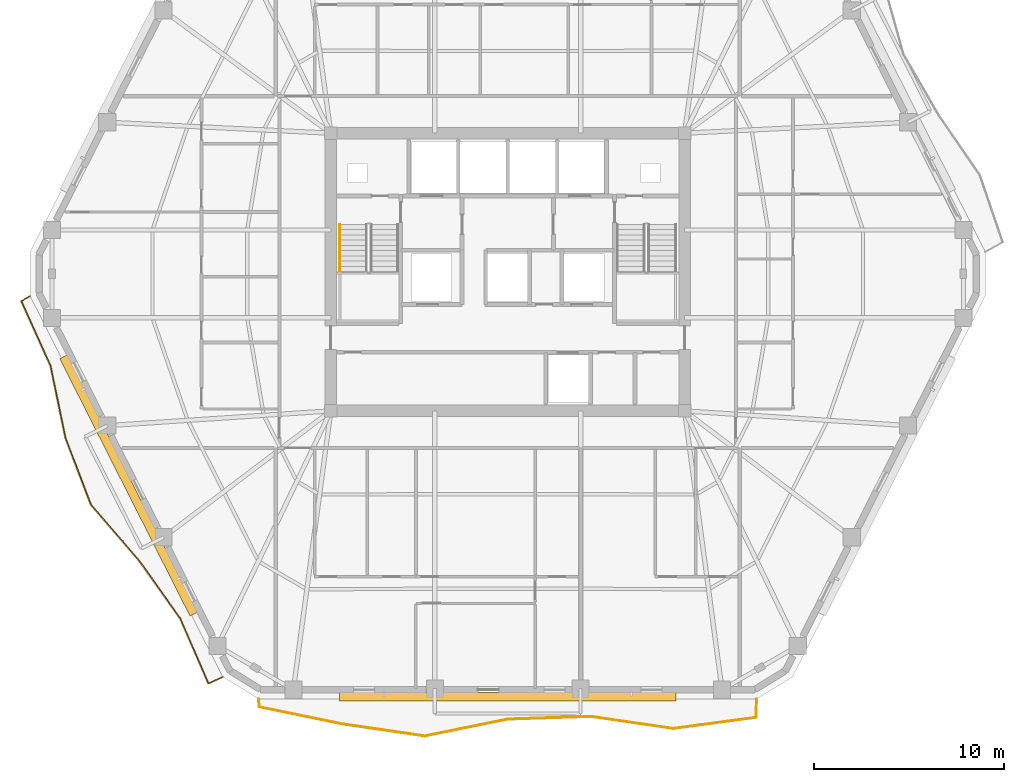
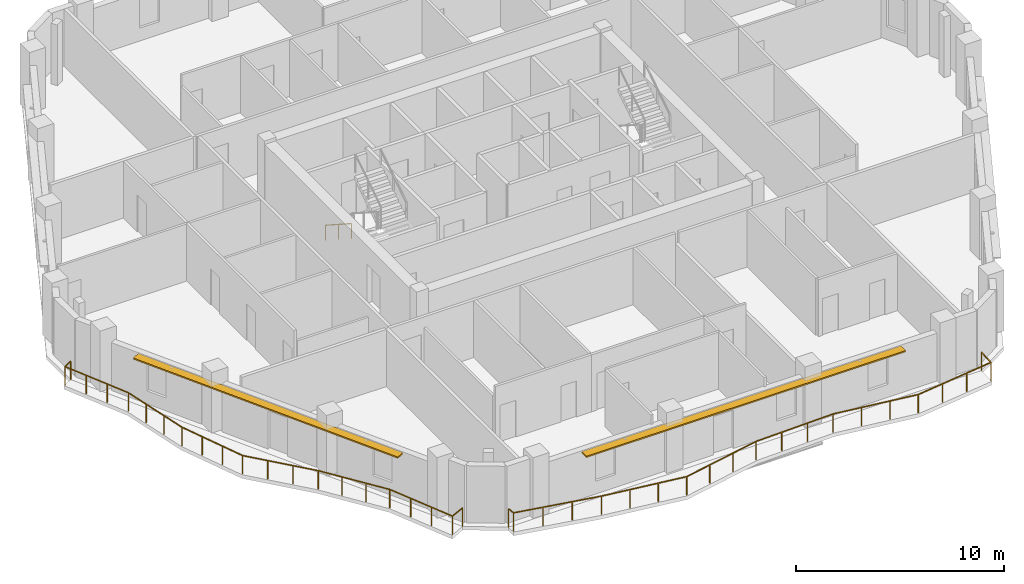
# One storey, part 10 of 12: 3 railings, 2 shading devices.
"""IFC4 building model written with IfcOpenShell, lengths in metres."""

from ifc_helpers import new_model, si_unit, direction, frame, origin, origin_2d, place, context, subcontext, project, spatial, rectangle, extrude, material, layer, layer_set, type_object, element, save


model = new_model("IFC4")

# Units and contexts
model_context = context("Model", 3, precision=1e-05, world=origin(), true_north=direction((0.0, 1.0)))
body_context = subcontext(model_context, "Body", "Model", "MODEL_VIEW")
ifc_project = project(units=[si_unit("LENGTHUNIT", "METRE"), si_unit("AREAUNIT", "SQUARE_METRE"), si_unit("VOLUMEUNIT", "CUBIC_METRE"), si_unit("PLANEANGLEUNIT", "RADIAN"), si_unit("MASSUNIT", "GRAM", prefix="KILO")], contexts=[model_context])

# Site, building, storey
site_placement = place(None, origin())
site = spatial("IfcSite", under=ifc_project, at=site_placement, CompositionType="ELEMENT")
building_placement = place(site_placement, origin())
building = spatial("IfcBuilding", under=site, at=building_placement, Name="Cinnabar Lancet Tower", CompositionType="ELEMENT")
storey_placement = place(building_placement, frame((0.0, 0.0, 157.050048828125)))
storey = spatial("IfcBuildingStorey", under=building, at=storey_placement, Name="L41", CompositionType="ELEMENT", Elevation=157.050048828125)

# Railings
ifc_material_1 = material(Name="Laminated safety glass and bronze stainless steel balustrade", Category="steel")
railing_type_1 = type_object("IfcRailingType", Name="ENV-RLG-BAL-1100", PredefinedType="BALUSTRADE", material=ifc_material_1)
railing_1_placement = place(storey_placement, frame((19.30810546875, 3.449951171875, 0.0)))
element("IfcRailing", 1, at=railing_1_placement, inside=storey, type_object=railing_type_1, Name="L41 Face 1 Wave Balcony Balustrade", PredefinedType="BALUSTRADE", context=body_context, shape_type="SweptSolid", body=[
    extrude(rectangle(XDim=0.048095703125, YDim=0.048095703125, at=origin_2d()), frame((0.0, 0.0, 1.076171875), z_axis=(0.083821618191, -0.996480775692, 0.0), x_axis=(0.996480775692, 0.083821618191, 0.0)), (0.0, 0.0, 1.0), 0.41650390625),
    extrude(rectangle(XDim=0.048095703125, YDim=0.048095703125, at=origin_2d()), frame((0.034912109375, -0.4150390625, 1.076171875), z_axis=(0.979466615648, -0.201606420607, 0.0), x_axis=(0.201606420607, 0.979466615648, 0.0)), (0.0, 0.0, 1.0), 4.4443359375),
    extrude(rectangle(XDim=0.048095703125, YDim=0.048095703125, at=origin_2d()), frame((4.387939453125, -1.31103515625, 1.076171875), z_axis=(0.989522079116, -0.144381629518, 0.0), x_axis=(0.144381629518, 0.989522079116, 0.0)), (0.0, 0.0, 1.0), 4.398193359375),
    extrude(rectangle(XDim=0.048095703125, YDim=0.048095703125, at=origin_2d()), frame((8.739990234375, -1.946044921875, 1.076171875), z_axis=(0.979801421295, 0.199972935241, 0.0), x_axis=(-0.199972935241, 0.979801421295, 0.0)), (0.0, 0.0, 1.0), 4.44140625),
    extrude(rectangle(XDim=0.048095703125, YDim=0.048095703125, at=origin_2d()), frame((13.091796875, -1.057861328125, 1.076171875), z_axis=(0.999476318177, 0.032358760834, 0.0), x_axis=(-0.032358760834, 0.999476318177, 0.0)), (0.0, 0.0, 1.0), 4.353271484375),
    extrude(rectangle(XDim=0.048095703125, YDim=0.048095703125, at=origin_2d()), frame((17.44287109375, -0.9169921875, 1.076171875), z_axis=(0.989494974567, -0.144567269139, 0.0), x_axis=(0.144567269139, 0.989494974567, 0.0)), (0.0, 0.0, 1.0), 4.399169921875),
    extrude(rectangle(XDim=0.048095703125, YDim=0.048095703125, at=origin_2d()), frame((21.7958984375, -1.552978515625, 1.076171875), z_axis=(0.991095389091, 0.133153782228, 0.0), x_axis=(-0.133153782228, 0.991095389091, 0.0)), (0.0, 0.0, 1.0), 4.39306640625),
    extrude(rectangle(XDim=0.048095703125, YDim=0.048095703125, at=origin_2d()), frame((26.14990234375, -0.968017578125, 1.076171875), z_axis=(0.035035224427, 0.999386078075, 0.0), x_axis=(-0.999386078075, 0.035035224427, 0.0)), (0.0, 0.0, 1.0), 0.968505859375),
    extrude(rectangle(XDim=0.0419921875, YDim=0.0419921875, at=origin_2d()), origin(), (0.0, 0.0, 1.0), 1.052001953125),
    extrude(rectangle(XDim=0.0419921875, YDim=0.0419921875, at=origin_2d()), frame((0.034912109375, -0.4150390625, 0.0)), (0.0, 0.0, 1.0), 1.052001953125),
    extrude(rectangle(XDim=0.0419921875, YDim=0.0419921875, at=origin_2d()), frame((1.48583984375, -0.713623046875, 0.0)), (0.0, 0.0, 1.0), 1.052001953125),
    extrude(rectangle(XDim=0.0419921875, YDim=0.0419921875, at=origin_2d()), frame((2.93701171875, -1.012451171875, 0.0)), (0.0, 0.0, 1.0), 1.052001953125),
    extrude(rectangle(XDim=0.0419921875, YDim=0.0419921875, at=origin_2d()), frame((4.387939453125, -1.31103515625, 0.0)), (0.0, 0.0, 1.0), 1.052001953125),
    extrude(rectangle(XDim=0.0419921875, YDim=0.0419921875, at=origin_2d()), frame((5.838623046875, -1.522705078125, 0.0)), (0.0, 0.0, 1.0), 1.052001953125),
    extrude(rectangle(XDim=0.0419921875, YDim=0.0419921875, at=origin_2d()), frame((7.289306640625, -1.734375, 0.0)), (0.0, 0.0, 1.0), 1.052001953125),
    extrude(rectangle(XDim=0.0419921875, YDim=0.0419921875, at=origin_2d()), frame((8.739990234375, -1.946044921875, 0.0)), (0.0, 0.0, 1.0), 1.052001953125),
    extrude(rectangle(XDim=0.0419921875, YDim=0.0419921875, at=origin_2d()), frame((10.190673828125, -1.64990234375, 0.0)), (0.0, 0.0, 1.0), 1.052001953125),
    extrude(rectangle(XDim=0.0419921875, YDim=0.0419921875, at=origin_2d()), frame((11.64111328125, -1.35400390625, 0.0)), (0.0, 0.0, 1.0), 1.052001953125),
    extrude(rectangle(XDim=0.0419921875, YDim=0.0419921875, at=origin_2d()), frame((13.091796875, -1.057861328125, 0.0)), (0.0, 0.0, 1.0), 1.052001953125),
    extrude(rectangle(XDim=0.0419921875, YDim=0.0419921875, at=origin_2d()), frame((14.542236328125, -1.010986328125, 0.0)), (0.0, 0.0, 1.0), 1.052001953125),
    extrude(rectangle(XDim=0.0419921875, YDim=0.0419921875, at=origin_2d()), frame((15.992431640625, -0.9638671875, 0.0)), (0.0, 0.0, 1.0), 1.052001953125),
    extrude(rectangle(XDim=0.0419921875, YDim=0.0419921875, at=origin_2d()), frame((17.44287109375, -0.9169921875, 0.0)), (0.0, 0.0, 1.0), 1.052001953125),
    extrude(rectangle(XDim=0.0419921875, YDim=0.0419921875, at=origin_2d()), frame((18.893798828125, -1.12890625, 0.0)), (0.0, 0.0, 1.0), 1.052001953125),
    extrude(rectangle(XDim=0.0419921875, YDim=0.0419921875, at=origin_2d()), frame((20.344970703125, -1.341064453125, 0.0)), (0.0, 0.0, 1.0), 1.052001953125),
    extrude(rectangle(XDim=0.0419921875, YDim=0.0419921875, at=origin_2d()), frame((21.7958984375, -1.552978515625, 0.0)), (0.0, 0.0, 1.0), 1.052001953125),
    extrude(rectangle(XDim=0.0419921875, YDim=0.0419921875, at=origin_2d()), frame((23.247314453125, -1.35791015625, 0.0)), (0.0, 0.0, 1.0), 1.052001953125),
    extrude(rectangle(XDim=0.0419921875, YDim=0.0419921875, at=origin_2d()), frame((24.698486328125, -1.1630859375, 0.0)), (0.0, 0.0, 1.0), 1.052001953125),
    extrude(rectangle(XDim=0.0419921875, YDim=0.0419921875, at=origin_2d()), frame((26.14990234375, -0.968017578125, 0.0)), (0.0, 0.0, 1.0), 1.052001953125),
    extrude(rectangle(XDim=0.0419921875, YDim=0.0419921875, at=origin_2d()), frame((26.183837890625, 0.0, 0.0)), (0.0, 0.0, 1.0), 1.052001953125),
])
railing_2_placement = place(storey_placement, frame((7.287109375, 24.639892578125, 0.0)))
element("IfcRailing", 2, at=railing_2_placement, inside=storey, type_object=railing_type_1, Name="L41 Face 6 Wave Balcony Balustrade", PredefinedType="BALUSTRADE", context=body_context, shape_type="SweptSolid", body=[
    extrude(rectangle(XDim=0.048095703125, YDim=0.048095703125, at=origin_2d()), frame((0.0, 0.0, 1.076171875), z_axis=(-0.867020810564, -0.498271927815, 0.0), x_axis=(0.498271927815, -0.867020810564, 0.0)), (0.0, 0.0, 1.0), 0.529541015625),
    extrude(rectangle(XDim=0.048095703125, YDim=0.048095703125, at=origin_2d()), frame((-0.459228515625, -0.263916015625, 1.076171875), z_axis=(0.411541186396, -0.911391162948, 0.0), x_axis=(0.911391162948, 0.411541186396, 0.0)), (0.0, 0.0, 1.0), 3.735107421875),
    extrude(rectangle(XDim=0.048095703125, YDim=0.048095703125, at=origin_2d()), frame((1.077880859375, -3.66796875, 1.076171875), z_axis=(0.202816550955, -0.979216751623, 0.0), x_axis=(0.979216751623, 0.202816550955, 0.0)), (0.0, 0.0, 1.0), 3.865234375),
    extrude(rectangle(XDim=0.048095703125, YDim=0.048095703125, at=origin_2d()), frame((1.86181640625, -7.452880859375, 1.076171875), z_axis=(0.35560558059, -0.934636116921, 0.0), x_axis=(0.934636116921, 0.35560558059, 0.0)), (0.0, 0.0, 1.0), 3.751220703125),
    extrude(rectangle(XDim=0.048095703125, YDim=0.048095703125, at=origin_2d()), frame((3.19580078125, -10.958984375, 1.076171875), z_axis=(0.653158268452, -0.757221418313, 0.0), x_axis=(0.757221418313, 0.653158268452, 0.0)), (0.0, 0.0, 1.0), 3.8427734375),
    extrude(rectangle(XDim=0.048095703125, YDim=0.048095703125, at=origin_2d()), frame((5.705810546875, -13.868896484375, 1.076171875), z_axis=(0.579590628564, -0.814907788207, 0.0), x_axis=(0.814907788207, 0.579590628564, 0.0)), (0.0, 0.0, 1.0), 3.7734375),
    extrude(rectangle(XDim=0.048095703125, YDim=0.048095703125, at=origin_2d()), frame((7.892822265625, -16.94384765625, 1.076171875), z_axis=(0.397123705352, -0.917765091212, 0.0), x_axis=(0.917765091212, 0.397123705352, 0.0)), (0.0, 0.0, 1.0), 3.73974609375),
    extrude(rectangle(XDim=0.048095703125, YDim=0.048095703125, at=origin_2d()), frame((9.3779296875, -20.3759765625, 1.076171875), z_axis=(0.909176019536, 0.416412014116, 0.0), x_axis=(-0.416412014116, 0.909176019536, 0.0)), (0.0, 0.0, 1.0), 0.831298828125),
    extrude(rectangle(XDim=0.0419921875, YDim=0.0419921875, at=origin_2d()), origin(), (0.0, 0.0, 1.0), 1.052001953125),
    extrude(rectangle(XDim=0.0419921875, YDim=0.0419921875, at=origin_2d()), frame((-0.459228515625, -0.263916015625, 0.0)), (0.0, 0.0, 1.0), 1.052001953125),
    extrude(rectangle(XDim=0.0419921875, YDim=0.0419921875, at=origin_2d()), frame((0.05322265625, -1.398681640625, 0.0)), (0.0, 0.0, 1.0), 1.052001953125),
    extrude(rectangle(XDim=0.0419921875, YDim=0.0419921875, at=origin_2d()), frame((0.5654296875, -2.533203125, 0.0)), (0.0, 0.0, 1.0), 1.052001953125),
    extrude(rectangle(XDim=0.0419921875, YDim=0.0419921875, at=origin_2d()), frame((1.077880859375, -3.66796875, 0.0)), (0.0, 0.0, 1.0), 1.052001953125),
    extrude(rectangle(XDim=0.0419921875, YDim=0.0419921875, at=origin_2d()), frame((1.339111328125, -4.9296875, 0.0)), (0.0, 0.0, 1.0), 1.052001953125),
    extrude(rectangle(XDim=0.0419921875, YDim=0.0419921875, at=origin_2d()), frame((1.6005859375, -6.191162109375, 0.0)), (0.0, 0.0, 1.0), 1.052001953125),
    extrude(rectangle(XDim=0.0419921875, YDim=0.0419921875, at=origin_2d()), frame((1.86181640625, -7.452880859375, 0.0)), (0.0, 0.0, 1.0), 1.052001953125),
    extrude(rectangle(XDim=0.0419921875, YDim=0.0419921875, at=origin_2d()), frame((2.306396484375, -8.62158203125, 0.0)), (0.0, 0.0, 1.0), 1.052001953125),
    extrude(rectangle(XDim=0.0419921875, YDim=0.0419921875, at=origin_2d()), frame((2.751220703125, -9.790283203125, 0.0)), (0.0, 0.0, 1.0), 1.052001953125),
    extrude(rectangle(XDim=0.0419921875, YDim=0.0419921875, at=origin_2d()), frame((3.19580078125, -10.958984375, 0.0)), (0.0, 0.0, 1.0), 1.052001953125),
    extrude(rectangle(XDim=0.0419921875, YDim=0.0419921875, at=origin_2d()), frame((4.032470703125, -11.928955078125, 0.0)), (0.0, 0.0, 1.0), 1.052001953125),
    extrude(rectangle(XDim=0.0419921875, YDim=0.0419921875, at=origin_2d()), frame((4.869140625, -12.89892578125, 0.0)), (0.0, 0.0, 1.0), 1.052001953125),
    extrude(rectangle(XDim=0.0419921875, YDim=0.0419921875, at=origin_2d()), frame((5.705810546875, -13.868896484375, 0.0)), (0.0, 0.0, 1.0), 1.052001953125),
    extrude(rectangle(XDim=0.0419921875, YDim=0.0419921875, at=origin_2d()), frame((6.434814453125, -14.893798828125, 0.0)), (0.0, 0.0, 1.0), 1.052001953125),
    extrude(rectangle(XDim=0.0419921875, YDim=0.0419921875, at=origin_2d()), frame((7.163818359375, -15.9189453125, 0.0)), (0.0, 0.0, 1.0), 1.052001953125),
    extrude(rectangle(XDim=0.0419921875, YDim=0.0419921875, at=origin_2d()), frame((7.892822265625, -16.94384765625, 0.0)), (0.0, 0.0, 1.0), 1.052001953125),
    extrude(rectangle(XDim=0.0419921875, YDim=0.0419921875, at=origin_2d()), frame((8.387939453125, -18.087890625, 0.0)), (0.0, 0.0, 1.0), 1.052001953125),
    extrude(rectangle(XDim=0.0419921875, YDim=0.0419921875, at=origin_2d()), frame((8.8828125, -19.23193359375, 0.0)), (0.0, 0.0, 1.0), 1.052001953125),
    extrude(rectangle(XDim=0.0419921875, YDim=0.0419921875, at=origin_2d()), frame((9.3779296875, -20.3759765625, 0.0)), (0.0, 0.0, 1.0), 1.052001953125),
    extrude(rectangle(XDim=0.0419921875, YDim=0.0419921875, at=origin_2d()), frame((10.1337890625, -20.02978515625, 0.0)), (0.0, 0.0, 1.0), 1.052001953125),
])

# Shading devices
ifc_material_2 = material(Name="Pale limestone architectural aluminium sunshade", Category="masonry")
ifc_layer = layer(ifc_material_2, 0.080078125)
ifc_layer_set = layer_set([ifc_layer], Name="Pale limestone architectural aluminium sunshade")
shading_device_type = type_object("IfcShadingDeviceType", Name="ENV-SHD-LVR-450", PredefinedType="JALOUSIE", material=ifc_layer_set)
shading_device_1_placement = place(storey_placement, frame((32.39990234375, 3.580078125, 2.639892578125), z_axis=(0.0, 0.0, 1.0), x_axis=(1.0, 0.0, 0.0)))
element("IfcShadingDevice", 3, at=shading_device_1_placement, inside=storey, type_object=shading_device_type, Name="L41 Face 1 Horizontal Sunshade Canopy", PredefinedType="JALOUSIE", context=body_context, shape_type="SweptSolid", body=[
    extrude(rectangle(XDim=17.68310546875, YDim=0.449951171875, at=origin_2d()), origin(), (0.0, 0.0, 1.0), 0.080078125),
])
shading_device_2_placement = place(storey_placement, frame((12.471923828125, 14.680908203125, 2.639892578125), z_axis=(0.0, 0.0, 1.0), x_axis=(0.451453853408, -0.892294468347, 0.0)))
element("IfcShadingDevice", 4, at=shading_device_2_placement, inside=storey, type_object=shading_device_type, Name="L41 Face 6 Horizontal Sunshade Canopy", PredefinedType="JALOUSIE", context=body_context, shape_type="SweptSolid", body=[
    extrude(rectangle(XDim=15.156982421875, YDim=0.449951171875, at=origin_2d()), origin(), (0.0, 0.0, 1.0), 0.080078125),
])

# Railing
ifc_material_3 = material(Name="Brushed stainless steel handrail", Category="steel")
railing_type_2 = type_object("IfcRailingType", Name="HANDRAIL-STAIR", PredefinedType="HANDRAIL", material=ifc_material_3)
railing_3_placement = place(storey_placement, frame((23.574951171875, 28.39990234375, 0.177490234375)))
element("IfcRailing", 5, at=railing_3_placement, inside=storey, type_object=railing_type_2, Name="L41 ST-1 stair handrail 1", PredefinedType="HANDRAIL", context=body_context, shape_type="SweptSolid", body=[
    extrude(rectangle(XDim=0.048095703125, YDim=0.048095703125, at=origin_2d()), frame((0.0, 0.0, 0.8759765625), z_axis=(0.0, -0.840183358697, 0.542302428327), x_axis=(1.0, 0.0, 0.0)), (0.0, 0.0, 1.0), 2.945556640625),
    extrude(rectangle(XDim=0.0419921875, YDim=0.0419921875, at=origin_2d()), origin(), (0.0, 0.0, 1.0), 0.851806640625),
    extrude(rectangle(XDim=0.0419921875, YDim=0.0419921875, at=origin_2d()), frame((0.0, -1.2373046875, 0.798828125)), (0.0, 0.0, 1.0), 0.851806640625),
    extrude(rectangle(XDim=0.0419921875, YDim=0.0419921875, at=origin_2d()), frame((0.0, -2.474853515625, 1.597412109375)), (0.0, 0.0, 1.0), 0.851806640625),
])

save(model, "model.ifc")
